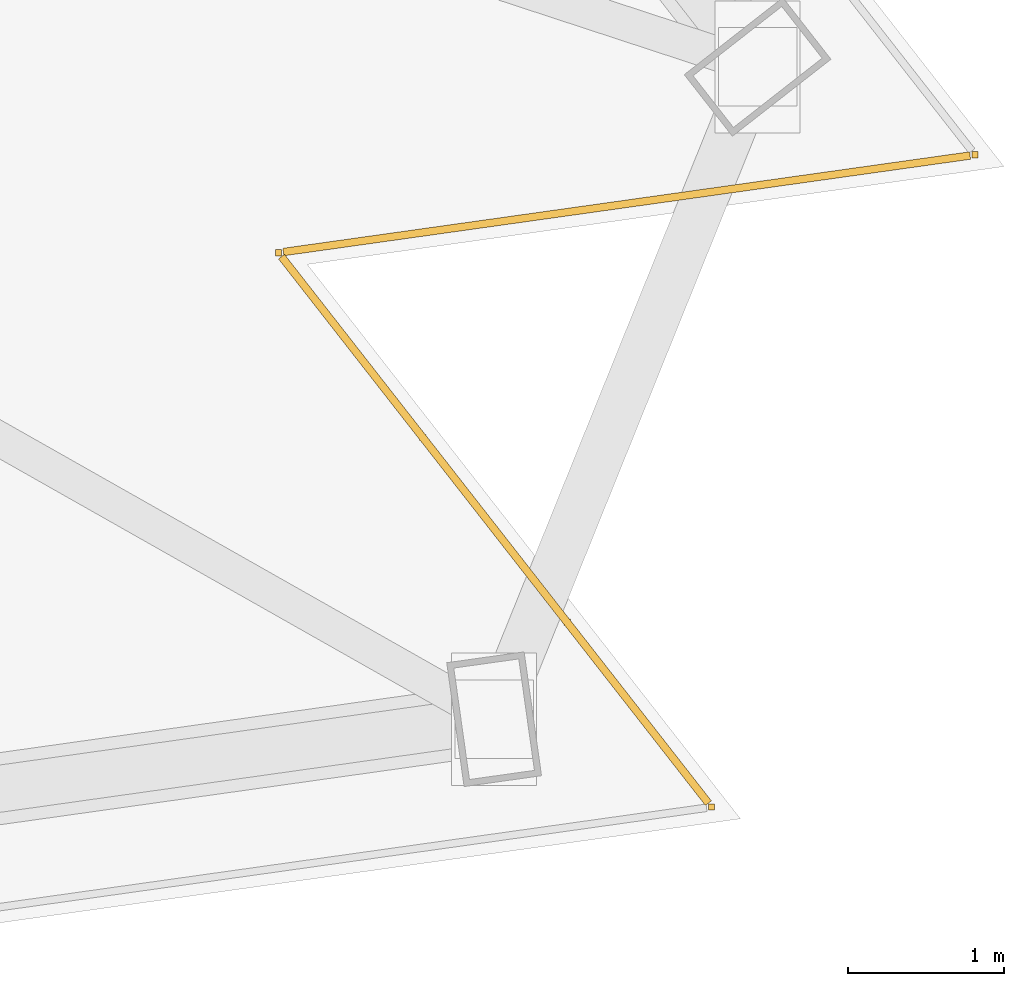
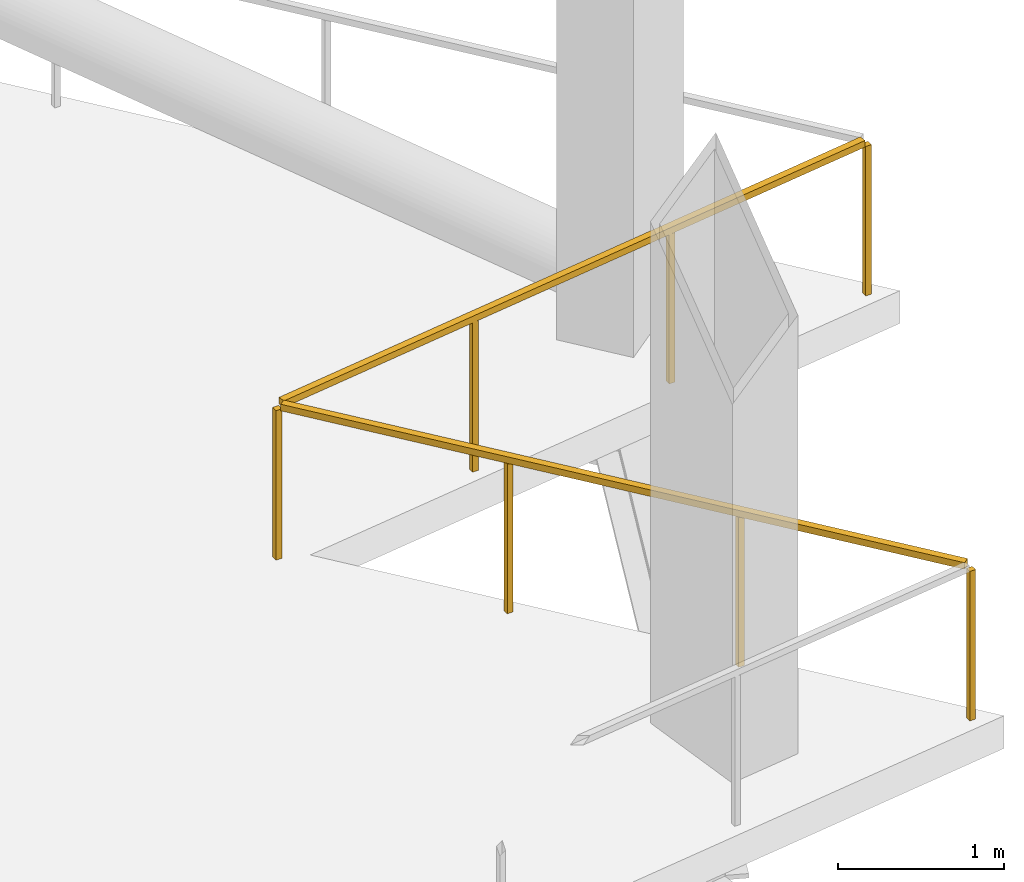
# One storey, part 11 of 13: 2 railings.
"""IFC4 building model written with IfcOpenShell, lengths in metres."""

from ifc_helpers import new_model, si_unit, direction, frame, origin, origin_2d, place, context, subcontext, project, spatial, rectangle, extrude, material, type_object, element, save


model = new_model("IFC4")

# Units and contexts
model_context = context("Model", 3, precision=1e-05, world=origin(), true_north=direction((0.0, 1.0)))
body_context = subcontext(model_context, "Body", "Model", "MODEL_VIEW")
ifc_project = project(units=[si_unit("LENGTHUNIT", "METRE"), si_unit("AREAUNIT", "SQUARE_METRE"), si_unit("VOLUMEUNIT", "CUBIC_METRE"), si_unit("PLANEANGLEUNIT", "RADIAN"), si_unit("MASSUNIT", "GRAM", prefix="KILO")], contexts=[model_context])

# Site, building, storey
site_placement = place(None, origin())
site = spatial("IfcSite", under=ifc_project, at=site_placement, CompositionType="ELEMENT")
building_placement = place(site_placement, origin())
building = spatial("IfcBuilding", under=site, at=building_placement, Name="Tharavind Bronze Gate", CompositionType="ELEMENT")
storey_placement = place(building_placement, frame((0.0, 0.0, 81.10009765625)))
storey = spatial("IfcBuildingStorey", under=building, at=storey_placement, Name="L20", CompositionType="ELEMENT", Elevation=81.10009765625)

# Railings
ifc_material = material(Name="Bronze Cap & Laminated Glass", Category="glass")
railing_type = type_object("IfcRailingType", Name="TERRACE GLASS GUARD RAILING 1150", PredefinedType="GUARDRAIL", material=ifc_material)
railing_1_placement = place(storey_placement, frame((30.127685546875, -19.399169921875, 0.0)))
element("IfcRailing", 1, at=railing_1_placement, inside=storey, type_object=railing_type, Name="L20 open wind floor perimeter guard railing 7", PredefinedType="GUARDRAIL", context=body_context, shape_type="SweptSolid", body=[
    extrude(rectangle(XDim=0.048095703125, YDim=0.048095703125, at=origin_2d()), frame((-0.019775390625, 0.025146484375, 1.1259765625), z_axis=(-0.615621932091, 0.78804164657, 0.0), x_axis=(-0.78804164657, -0.615621932091, 0.0)), (0.0, 0.0, 1.0), 4.43603515625),
    extrude(rectangle(XDim=0.0400390625, YDim=0.0400390625, at=origin_2d()), origin(), (0.0, 0.0, 1.0), 1.097900390625),
    extrude(rectangle(XDim=0.0400390625, YDim=0.0400390625, at=origin_2d()), frame((-0.92333984375, 1.18212890625, 0.0)), (0.0, 0.0, 1.0), 1.097900390625),
    extrude(rectangle(XDim=0.0400390625, YDim=0.0400390625, at=origin_2d()), frame((-1.846923828125, 2.364013671875, 0.0)), (0.0, 0.0, 1.0), 1.097900390625),
    extrude(rectangle(XDim=0.0400390625, YDim=0.0400390625, at=origin_2d()), frame((-2.770263671875, 3.546142578125, 0.0)), (0.0, 0.0, 1.0), 1.097900390625),
])
railing_2_placement = place(storey_placement, frame((27.357421875, -15.85302734375, 0.0)))
element("IfcRailing", 2, at=railing_2_placement, inside=storey, type_object=railing_type, Name="L20 open wind floor perimeter guard railing 8", PredefinedType="GUARDRAIL", context=body_context, shape_type="SweptSolid", body=[
    extrude(rectangle(XDim=0.048095703125, YDim=0.048095703125, at=origin_2d()), frame((0.03173828125, 0.00439453125, 1.1259765625), z_axis=(0.990269200152, 0.139165050317, 0.0), x_axis=(-0.139165050317, 0.990269200152, 0.0)), (0.0, 0.0, 1.0), 4.435791015625),
    extrude(rectangle(XDim=0.0400390625, YDim=0.0400390625, at=origin_2d()), origin(), (0.0, 0.0, 1.0), 1.097900390625),
    extrude(rectangle(XDim=0.0400390625, YDim=0.0400390625, at=origin_2d()), frame((1.4853515625, 0.208740234375, 0.0)), (0.0, 0.0, 1.0), 1.097900390625),
    extrude(rectangle(XDim=0.0400390625, YDim=0.0400390625, at=origin_2d()), frame((2.970703125, 0.41748046875, 0.0)), (0.0, 0.0, 1.0), 1.097900390625),
    extrude(rectangle(XDim=0.0400390625, YDim=0.0400390625, at=origin_2d()), frame((4.4560546875, 0.626220703125, 0.0)), (0.0, 0.0, 1.0), 1.097900390625),
])

save(model, "model.ifc")
